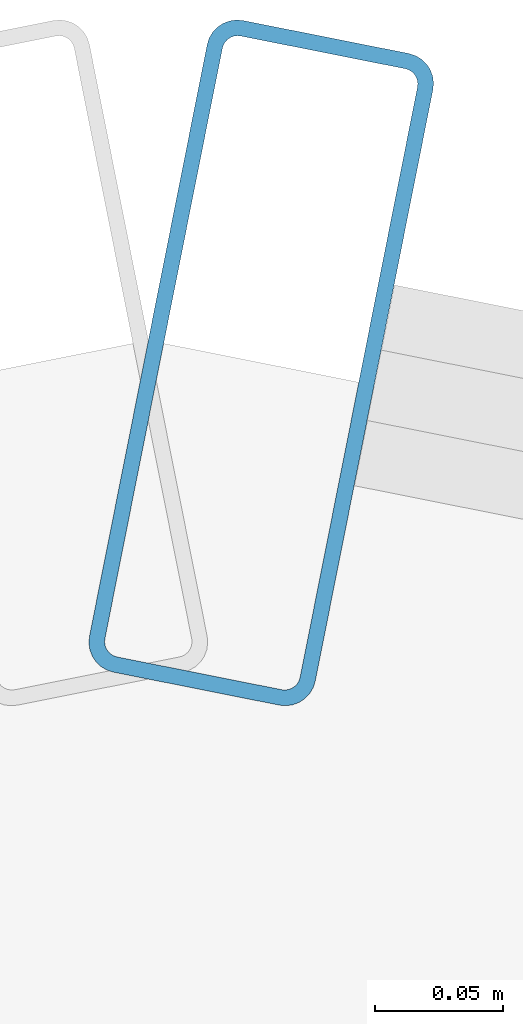
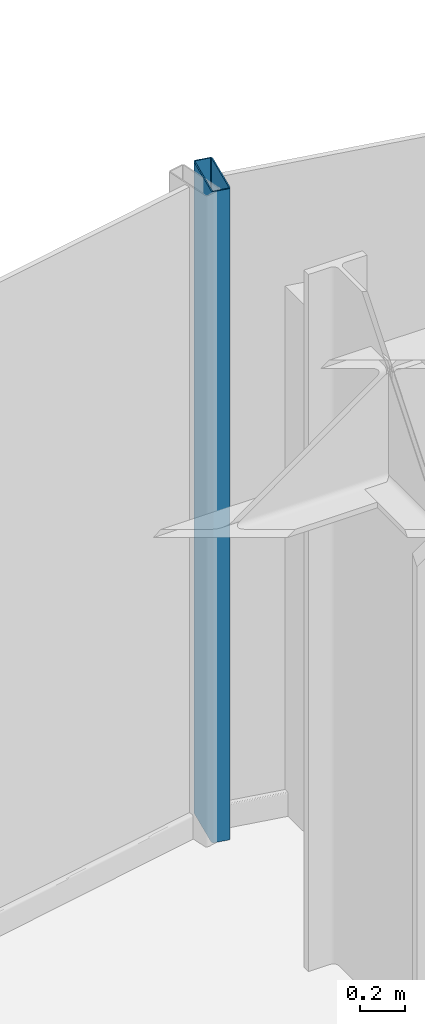
# One storey, part 15 of 25: 1 member, 1 element without a shape of its own.
"""IFC4 building model written with IfcOpenShell, lengths in metres."""

from ifc_helpers import new_model, si_unit, direction, frame, origin, origin_2d, place, context, subcontext, project, spatial, hollow_rectangle, extrude, source, transform, mapped, material, layer, layer_set, material_profile, profile_set, type_object, element, aggregate, save


model = new_model("IFC4")

# Units and contexts
model_context = context("Model", 3, precision=1e-05, world=origin(), true_north=direction((0.0, 1.0)))
body_context = subcontext(model_context, "Body", "Model", "MODEL_VIEW")
ifc_project = project(units=[si_unit("LENGTHUNIT", "METRE"), si_unit("AREAUNIT", "SQUARE_METRE"), si_unit("VOLUMEUNIT", "CUBIC_METRE"), si_unit("PLANEANGLEUNIT", "RADIAN"), si_unit("MASSUNIT", "GRAM", prefix="KILO")], contexts=[model_context])

# Site, building, storey
site_placement = place(None, origin())
site = spatial("IfcSite", under=ifc_project, at=site_placement, CompositionType="ELEMENT")
building_placement = place(site_placement, origin())
building = spatial("IfcBuilding", under=site, at=building_placement, Name="Nefas-Gora Pilgrimage Tower", CompositionType="ELEMENT")
storey_placement = place(building_placement, frame((0.0, 0.0, 109.800048828125)))
storey = spatial("IfcBuildingStorey", under=building, at=storey_placement, Name="L26", CompositionType="ELEMENT", Elevation=109.800048828125)

# Curtain wall, member
ifc_material_1 = material(Name="Dark ceramic-fritted solar-control aluminium-glass curtain wall", Category="aluminium")
ifc_layer = layer(ifc_material_1, 0.219970703125)
ifc_layer_set = layer_set([ifc_layer], Name="Dark ceramic-fritted solar-control aluminium-glass curtain wall")
curtain_wall_type = type_object("IfcCurtainWallType", Name="CW-SYS-5", PredefinedType="NOTDEFINED", material=ifc_layer_set)
curtain_wall_placement = place(storey_placement, origin())
curtain_wall = element("IfcCurtainWall", 1, at=curtain_wall_placement, inside=storey, type_object=curtain_wall_type, Name="L26 Unitised Curtain Wall CW5", PredefinedType="NOTDEFINED")
ifc_material_2 = material(Name="Anodised architectural aluminium", Category="aluminium")
ifc_material_profile = material_profile(ifc_material_2, hollow_rectangle(XDim=0.090087890625, YDim=0.260009765625, WallThickness=0.006103515625, InnerFilletRadius=0.006103515625, OuterFilletRadius=0.011962890625, at=origin_2d()), Name="ALU MULLION 90x260")
ifc_profile_set = profile_set([ifc_material_profile], Name="Anodised architectural aluminium")
member_type = type_object("IfcMemberType", Name="CWM-MUL-5", PredefinedType="MULLION", material=ifc_profile_set)
shared_shape = source(origin(), body_context, "Body", "SweptSolid", [
    extrude(hollow_rectangle(XDim=0.090087890625, YDim=0.260009765625, WallThickness=0.006103515625, InnerFilletRadius=0.006103515625, OuterFilletRadius=0.011962890625, at=origin_2d()), origin(), (0.0, 0.0, 1.0), 3.550048828125),
])
member_placement = place(storey_placement, frame((-2.205810546875, 24.16357421875, 0.0), z_axis=(0.0, 0.0, 1.0), x_axis=(-0.980782896852, 0.195102304554, 0.0)))
member = element("IfcMember", 2, at=member_placement, type_object=member_type, Name="CW5 Mullion 2", PredefinedType="MULLION", context=body_context, shape_type="MappedRepresentation", body=[
    mapped(shared_shape, transform((0.0, 0.0, 0.0), x_axis=(1.0, 0.0, 0.0), y_axis=(0.0, 1.0, 0.0), z_axis=(0.0, 0.0, 1.0), scale=1.0)),
])
aggregate(curtain_wall, [member])

save(model, "model.ifc")
